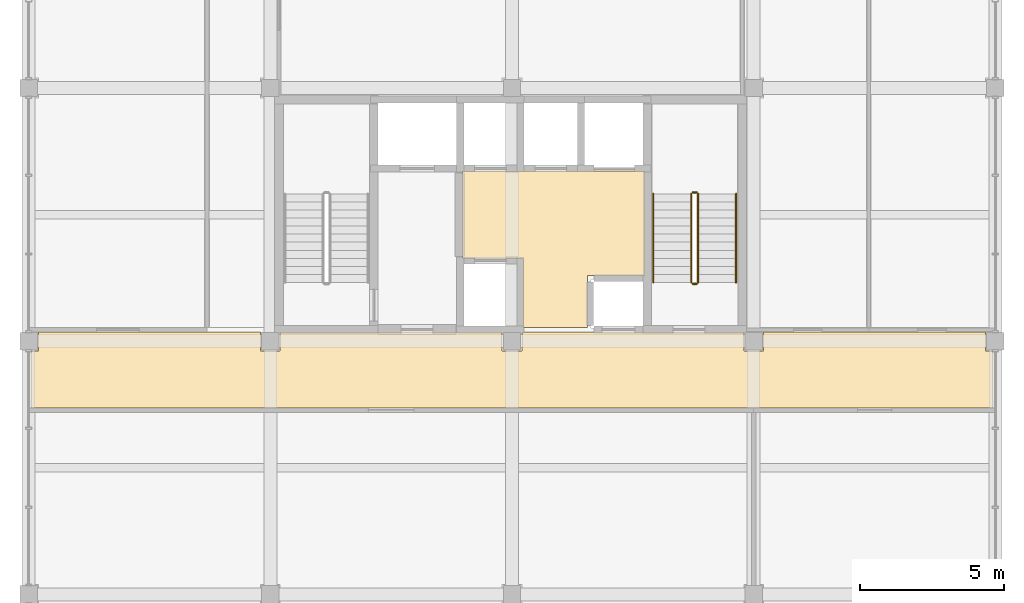
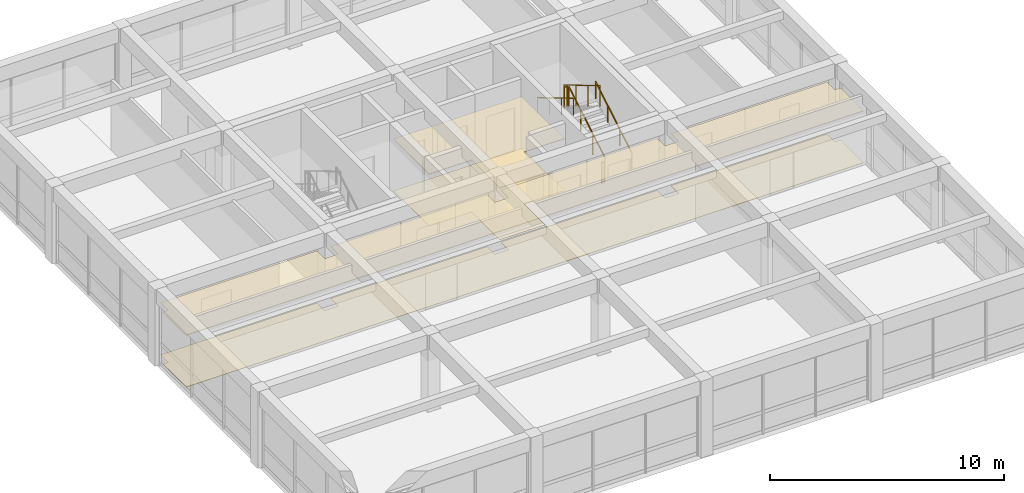
# One storey, part 13 of 14: 6 railings, 4 coverings.
"""IFC4 building model written with IfcOpenShell, lengths in metres."""

from ifc_helpers import new_model, si_unit, direction, frame, origin, origin_2d, place, context, subcontext, project, spatial, polyline, circle, outline, extrude, material, layer, layer_set, type_object, element, save


model = new_model("IFC4")

# Units and contexts
model_context = context("Model", 3, precision=1e-05, world=origin(), true_north=direction((0.0, 1.0)))
body_context = subcontext(model_context, "Body", "Model", "MODEL_VIEW")
ifc_project = project(units=[si_unit("LENGTHUNIT", "METRE"), si_unit("AREAUNIT", "SQUARE_METRE"), si_unit("VOLUMEUNIT", "CUBIC_METRE"), si_unit("PLANEANGLEUNIT", "RADIAN"), si_unit("MASSUNIT", "GRAM", prefix="KILO")], contexts=[model_context])

# Site, building, storey
site_placement = place(None, origin())
site = spatial("IfcSite", under=ifc_project, at=site_placement, CompositionType="ELEMENT")
building_placement = place(site_placement, origin())
building = spatial("IfcBuilding", under=site, at=building_placement, Name="Kemercrest Conservatory and Botanical Centre", CompositionType="ELEMENT")
storey_placement = place(building_placement, frame((0.0, 0.0, 59.800048828125)))
storey = spatial("IfcBuildingStorey", under=building, at=storey_placement, Name="L15", CompositionType="ELEMENT", Elevation=59.800048828125)

# Coverings
ifc_material_1 = material(Name="Perforated acoustic gypsum and mineral-fibre suspended ceiling", Category="gypsum")
ifc_layer_1 = layer(ifc_material_1, 0.034912109375)
ifc_layer_set_1 = layer_set([ifc_layer_1], Name="Perforated acoustic gypsum and mineral-fibre suspended ceiling")
covering_type_1 = type_object("IfcCoveringType", Name="CV-CLG035", PredefinedType="CEILING", material=ifc_layer_set_1)
covering_1_placement = place(storey_placement, frame((0.0, 0.0, 2.699951171875)))
element("IfcCovering", 1, at=covering_1_placement, inside=storey, type_object=covering_type_1, Name="Tower Lift Lobby suspended acoustic ceiling", PredefinedType="CEILING", context=body_context, shape_type="SweptSolid", body=[
    extrude(outline(polyline([(159.580078125, 107.679931640625), (159.580078125, 105.280029296875), (161.820068359375, 105.280029296875), (161.820068359375, 107.080078125), (163.820068359375, 107.080078125), (163.820068359375, 110.719970703125), (157.47998046875, 110.719970703125), (157.47998046875, 107.679931640625), (159.580078125, 107.679931640625)])), origin(), (0.0, 0.0, 1.0), 0.034912109375),
])
covering_2_placement = place(storey_placement, frame((0.0, 0.0, 2.699951171875)))
element("IfcCovering", 2, at=covering_2_placement, inside=storey, type_object=covering_type_1, Name="Gallery Level Corridor suspended acoustic ceiling", PredefinedType="CEILING", context=body_context, shape_type="SweptSolid", body=[
    extrude(outline(polyline([(142.47998046875, 102.47998046875), (175.919921875, 102.47998046875), (175.919921875, 104.4599609375), (175.659912109375, 104.4599609375), (175.659912109375, 105.1201171875), (167.93994140625, 105.1201171875), (167.93994140625, 104.4599609375), (167.260009765625, 104.4599609375), (167.260009765625, 105.1201171875), (159.5400390625, 105.1201171875), (159.5400390625, 104.4599609375), (158.860107421875, 104.4599609375), (158.860107421875, 105.1201171875), (151.139892578125, 105.1201171875), (151.139892578125, 104.4599609375), (150.4599609375, 104.4599609375), (150.4599609375, 105.1201171875), (142.739990234375, 105.1201171875), (142.739990234375, 104.4599609375), (142.47998046875, 104.4599609375), (142.47998046875, 102.47998046875)])), origin(), (0.0, 0.0, 1.0), 0.034912109375),
])
ifc_material_2 = material(Name="Polished limestone terrazzo and seamless laboratory epoxy flooring", Category="masonry")
ifc_layer_2 = layer(ifc_material_2, 0.02001953125)
ifc_layer_set_2 = layer_set([ifc_layer_2], Name="Polished limestone terrazzo and seamless laboratory epoxy flooring")
covering_type_2 = type_object("IfcCoveringType", Name="CV-FLR020", PredefinedType="FLOORING", material=ifc_layer_set_2)
covering_3_placement = place(storey_placement, origin())
element("IfcCovering", 3, at=covering_3_placement, inside=storey, type_object=covering_type_2, Name="Tower Lift Lobby floor finish", PredefinedType="FLOORING", context=body_context, shape_type="SweptSolid", body=[
    extrude(outline(polyline([(159.580078125, 107.679931640625), (159.580078125, 105.280029296875), (161.820068359375, 105.280029296875), (161.820068359375, 107.080078125), (163.820068359375, 107.080078125), (163.820068359375, 110.719970703125), (157.47998046875, 110.719970703125), (157.47998046875, 107.679931640625), (159.580078125, 107.679931640625)])), origin(), (0.0, 0.0, 1.0), 0.02001953125),
])
covering_4_placement = place(storey_placement, origin())
element("IfcCovering", 4, at=covering_4_placement, inside=storey, type_object=covering_type_2, Name="Gallery Level Corridor floor finish", PredefinedType="FLOORING", context=body_context, shape_type="SweptSolid", body=[
    extrude(outline(polyline([(142.47998046875, 102.47998046875), (175.919921875, 102.47998046875), (175.919921875, 104.4599609375), (175.659912109375, 104.4599609375), (175.659912109375, 105.1201171875), (167.93994140625, 105.1201171875), (167.93994140625, 104.4599609375), (167.260009765625, 104.4599609375), (167.260009765625, 105.1201171875), (159.5400390625, 105.1201171875), (159.5400390625, 104.4599609375), (158.860107421875, 104.4599609375), (158.860107421875, 105.1201171875), (151.139892578125, 105.1201171875), (151.139892578125, 104.4599609375), (150.4599609375, 104.4599609375), (150.4599609375, 105.1201171875), (142.739990234375, 105.1201171875), (142.739990234375, 104.4599609375), (142.47998046875, 104.4599609375), (142.47998046875, 102.47998046875)])), origin(), (0.0, 0.0, 1.0), 0.02001953125),
])

# Railings
ifc_material_3 = material(Name="Painted galvanized steel tubular stair guardrail", Category="steel")
railing_type_1 = type_object("IfcRailingType", Name="GR-STR110", PredefinedType="GUARDRAIL", material=ifc_material_3)
railing_1_placement = place(storey_placement, frame((165.669921875, 106.840087890625, 0.16650390625)))
element("IfcRailing", 5, at=railing_1_placement, inside=storey, type_object=railing_type_1, Name="L15 ST-V4B stair guard 1", PredefinedType="GUARDRAIL", context=body_context, shape_type="SweptSolid", body=[
    extrude(circle(Radius=0.02392578125, at=origin_2d()), frame((0.0, 0.0, 1.076171875), z_axis=(0.0, 0.859260807169, 0.511537745687), x_axis=(-1.0, 0.0, 0.0)), (0.0, 0.0, 1.0), 3.584228515625),
    extrude(circle(Radius=0.02099609375, at=origin_2d()), origin(), (0.0, 0.0, 1.0), 1.052001953125),
    extrude(circle(Radius=0.02099609375, at=origin_2d()), frame((0.0, 1.026611328125, 0.611083984375)), (0.0, 0.0, 1.0), 1.052001953125),
    extrude(circle(Radius=0.02099609375, at=origin_2d()), frame((0.0, 2.05322265625, 1.222412109375)), (0.0, 0.0, 1.0), 1.052001953125),
    extrude(circle(Radius=0.02099609375, at=origin_2d()), frame((0.0, 3.079833984375, 1.83349609375)), (0.0, 0.0, 1.0), 1.052001953125),
])
railing_2_placement = place(storey_placement, frame((165.6201171875, 109.969970703125, 2.0)))
element("IfcRailing", 6, at=railing_2_placement, inside=storey, type_object=railing_type_1, Name="L15 ST-V4B stair guard 2", PredefinedType="GUARDRAIL", context=body_context, shape_type="SweptSolid", body=[
    extrude(circle(Radius=0.02392578125, at=origin_2d()), frame((0.0, 0.0, 1.076171875), z_axis=(-1.0, 0.0, 0.0), x_axis=(0.0, -1.0, 0.0)), (0.0, 0.0, 1.0), 0.14013671875),
    extrude(circle(Radius=0.02099609375, at=origin_2d()), origin(), (0.0, 0.0, 1.0), 1.052001953125),
    extrude(circle(Radius=0.02099609375, at=origin_2d()), frame((-0.14013671875, 0.0, 0.0)), (0.0, 0.0, 1.0), 1.052001953125),
])
railing_3_placement = place(storey_placement, frame((165.429931640625, 109.919921875, 2.16650390625)))
element("IfcRailing", 7, at=railing_3_placement, inside=storey, type_object=railing_type_1, Name="L15 ST-V4B stair guard 3", PredefinedType="GUARDRAIL", context=body_context, shape_type="SweptSolid", body=[
    extrude(circle(Radius=0.02392578125, at=origin_2d()), frame((0.0, 0.0, 1.076171875), z_axis=(0.0, -0.859260807169, 0.511537745687), x_axis=(1.0, 0.0, 0.0)), (0.0, 0.0, 1.0), 3.584228515625),
    extrude(circle(Radius=0.02099609375, at=origin_2d()), origin(), (0.0, 0.0, 1.0), 1.052001953125),
    extrude(circle(Radius=0.02099609375, at=origin_2d()), frame((0.0, -1.026611328125, 0.611083984375)), (0.0, 0.0, 1.0), 1.052001953125),
    extrude(circle(Radius=0.02099609375, at=origin_2d()), frame((0.0, -2.05322265625, 1.222412109375)), (0.0, 0.0, 1.0), 1.052001953125),
    extrude(circle(Radius=0.02099609375, at=origin_2d()), frame((0.0, -3.079833984375, 1.83349609375)), (0.0, 0.0, 1.0), 1.052001953125),
])
railing_4_placement = place(storey_placement, frame((165.6201171875, 106.7900390625, 0.0)))
element("IfcRailing", 8, at=railing_4_placement, inside=storey, type_object=railing_type_1, Name="L15 ST-V4B stair guard 4", PredefinedType="GUARDRAIL", context=body_context, shape_type="SweptSolid", body=[
    extrude(circle(Radius=0.02392578125, at=origin_2d()), frame((0.0, 0.0, 1.076171875), z_axis=(-1.0, 0.0, 0.0), x_axis=(0.0, -1.0, 0.0)), (0.0, 0.0, 1.0), 0.14013671875),
    extrude(circle(Radius=0.02099609375, at=origin_2d()), origin(), (0.0, 0.0, 1.0), 1.052001953125),
    extrude(circle(Radius=0.02099609375, at=origin_2d()), frame((-0.14013671875, 0.0, 0.0)), (0.0, 0.0, 1.0), 1.052001953125),
])
ifc_material_4 = material(Name="Brushed stainless steel wall-mounted handrail", Category="steel")
railing_type_2 = type_object("IfcRailingType", Name="HR-STR090", PredefinedType="HANDRAIL", material=ifc_material_4)
railing_5_placement = place(storey_placement, frame((166.989990234375, 106.840087890625, 0.16650390625)))
element("IfcRailing", 9, at=railing_5_placement, inside=storey, type_object=railing_type_2, Name="L15 ST-V4B stair handrail 1", PredefinedType="HANDRAIL", context=body_context, shape_type="SweptSolid", body=[
    extrude(circle(Radius=0.02392578125, at=origin_2d()), frame((0.0, 0.0, 0.8759765625), z_axis=(0.0, 0.859260807169, 0.511537745687), x_axis=(-1.0, 0.0, 0.0)), (0.0, 0.0, 1.0), 3.584228515625),
    extrude(circle(Radius=0.02099609375, at=origin_2d()), origin(), (0.0, 0.0, 1.0), 0.851806640625),
    extrude(circle(Radius=0.02099609375, at=origin_2d()), frame((0.0, 1.026611328125, 0.611083984375)), (0.0, 0.0, 1.0), 0.851806640625),
    extrude(circle(Radius=0.02099609375, at=origin_2d()), frame((0.0, 2.05322265625, 1.222412109375)), (0.0, 0.0, 1.0), 0.851806640625),
    extrude(circle(Radius=0.02099609375, at=origin_2d()), frame((0.0, 3.079833984375, 1.83349609375)), (0.0, 0.0, 1.0), 0.851806640625),
])
railing_6_placement = place(storey_placement, frame((164.110107421875, 109.919921875, 2.16650390625)))
element("IfcRailing", 10, at=railing_6_placement, inside=storey, type_object=railing_type_2, Name="L15 ST-V4B stair handrail 2", PredefinedType="HANDRAIL", context=body_context, shape_type="SweptSolid", body=[
    extrude(circle(Radius=0.02392578125, at=origin_2d()), frame((0.0, 0.0, 0.8759765625), z_axis=(0.0, -0.859260807169, 0.511537745687), x_axis=(1.0, 0.0, 0.0)), (0.0, 0.0, 1.0), 3.584228515625),
    extrude(circle(Radius=0.02099609375, at=origin_2d()), origin(), (0.0, 0.0, 1.0), 0.851806640625),
    extrude(circle(Radius=0.02099609375, at=origin_2d()), frame((0.0, -1.026611328125, 0.611083984375)), (0.0, 0.0, 1.0), 0.851806640625),
    extrude(circle(Radius=0.02099609375, at=origin_2d()), frame((0.0, -2.05322265625, 1.222412109375)), (0.0, 0.0, 1.0), 0.851806640625),
    extrude(circle(Radius=0.02099609375, at=origin_2d()), frame((0.0, -3.079833984375, 1.83349609375)), (0.0, 0.0, 1.0), 0.851806640625),
])

save(model, "model.ifc")
